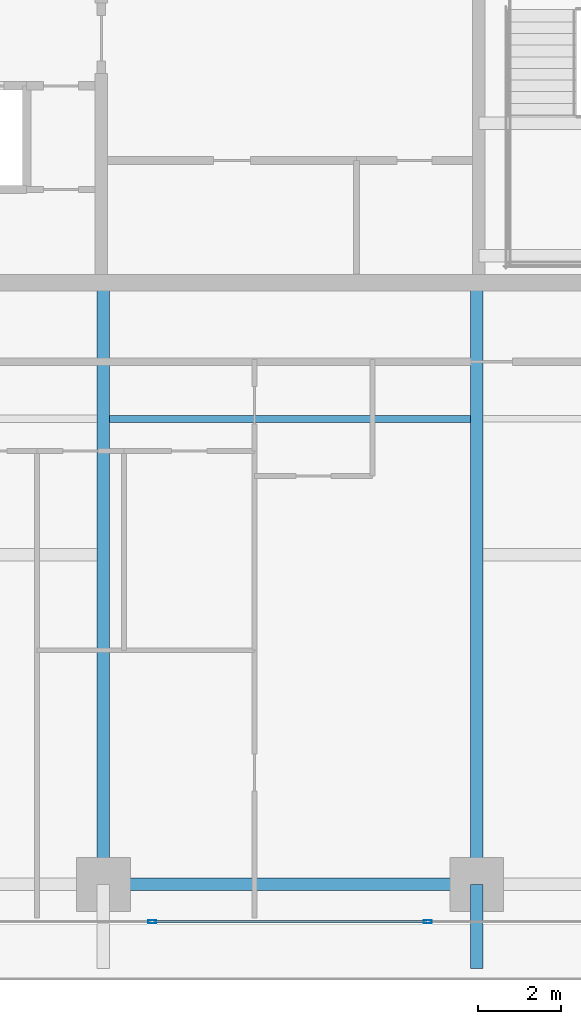
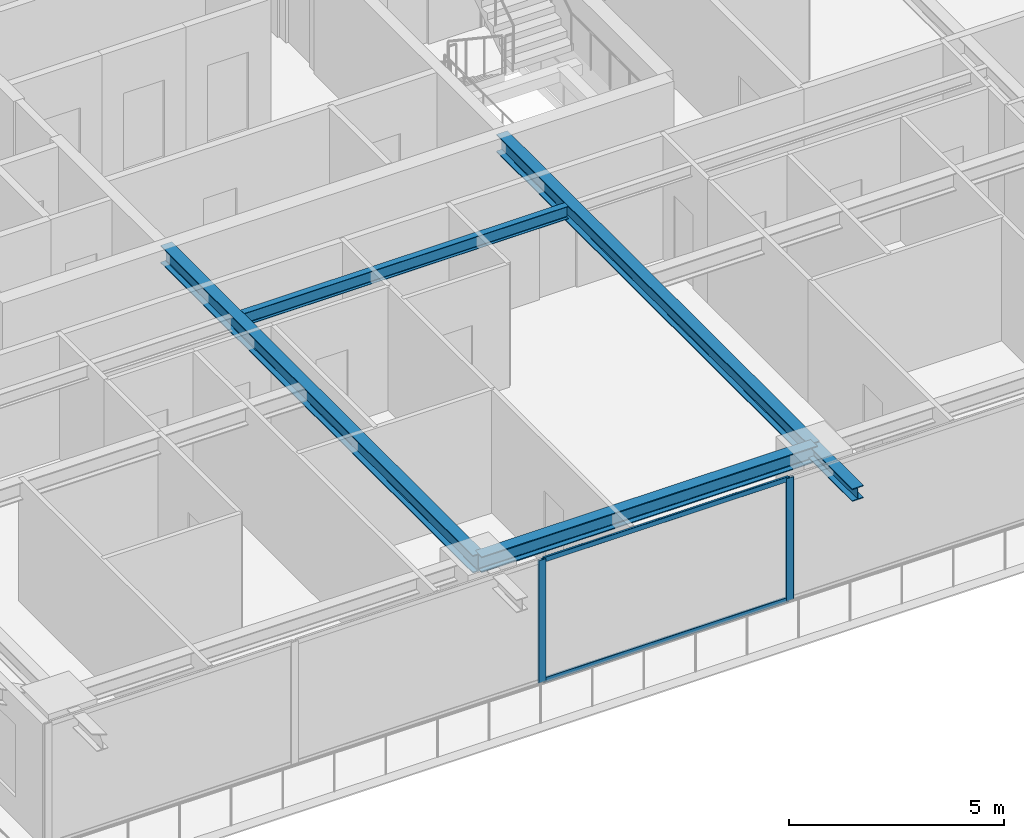
# One storey, part 5 of 34: 5 beams, 4 members, 1 element without a shape of its own.
"""IFC4 building model written with IfcOpenShell, lengths in metres."""

from ifc_helpers import new_model, si_unit, direction, frame, origin, origin_2d, place, context, subcontext, project, spatial, hollow_rectangle, i_section, extrude, source, transform, mapped, material, layer, layer_set, material_profile, profile_set, type_object, element, aggregate, save


model = new_model("IFC4")

# Units and contexts
model_context = context("Model", 3, precision=1e-05, world=origin(), true_north=direction((0.0, 1.0)))
body_context = subcontext(model_context, "Body", "Model", "MODEL_VIEW")
ifc_project = project(units=[si_unit("LENGTHUNIT", "METRE"), si_unit("AREAUNIT", "SQUARE_METRE"), si_unit("VOLUMEUNIT", "CUBIC_METRE"), si_unit("PLANEANGLEUNIT", "RADIAN"), si_unit("MASSUNIT", "GRAM", prefix="KILO")], contexts=[model_context])

# Site, building, storey
site_placement = place(None, origin())
site = spatial("IfcSite", under=ifc_project, at=site_placement, CompositionType="ELEMENT")
building_placement = place(site_placement, origin())
building = spatial("IfcBuilding", under=site, at=building_placement, Name="Serunith Strait Residences", CompositionType="ELEMENT")
storey_placement = place(building_placement, frame((0.0, 0.0, 135.14990234375)))
storey = spatial("IfcBuildingStorey", under=building, at=storey_placement, Name="L33", CompositionType="ELEMENT", Elevation=135.14990234375)

# Beams
ifc_material_1 = material(Name="Steel S355J2", Category="steel")
ifc_material_profile_1 = material_profile(ifc_material_1, i_section(OverallWidth=0.169921875, OverallDepth=0.360107421875, WebThickness=0.008056640625, FlangeThickness=0.0126953125, FilletRadius=0.01806640625, at=origin_2d()), Name="IPE 360")
ifc_profile_set_1 = profile_set([ifc_material_profile_1], Name="Steel S355J2")
beam_type_1 = type_object("IfcBeamType", Name="BM-IPE360", PredefinedType="JOIST", material=ifc_profile_set_1)
shared_shape_1 = source(origin(), body_context, "Body", "SweptSolid", [
    extrude(i_section(OverallWidth=0.169921875, OverallDepth=0.360107421875, WebThickness=0.008056640625, FlangeThickness=0.0126953125, FilletRadius=0.01806640625, at=origin_2d()), origin(), (0.0, 0.0, 1.0), 8.699951171875),
])
beam_1_placement = place(storey_placement, frame((28.050048828125, 13.52490234375, 3.30712890625), z_axis=(1.0, 0.0, 0.0), x_axis=(0.0, 1.0, 0.0)))
element("IfcBeam", 1, at=beam_1_placement, inside=storey, type_object=beam_type_1, Name="L33 Composite Floor Joist 02", PredefinedType="JOIST", context=body_context, shape_type="MappedRepresentation", body=[
    mapped(shared_shape_1, transform((0.0, 0.0, 0.0), scale=1.0)),
])
ifc_material_profile_2 = material_profile(ifc_material_1, i_section(OverallWidth=0.300048828125, OverallDepth=0.449951171875, WebThickness=0.013916015625, FlangeThickness=0.02587890625, FilletRadius=0.027099609375, at=origin_2d()), Name="HEB 450")
ifc_profile_set_2 = profile_set([ifc_material_profile_2], Name="Steel S355J2")
beam_type_2 = type_object("IfcBeamType", Name="BM-HEB450", PredefinedType="BEAM", material=ifc_profile_set_2)
shared_shape_2 = source(origin(), body_context, "Body", "SweptSolid", [
    extrude(i_section(OverallWidth=0.300048828125, OverallDepth=0.449951171875, WebThickness=0.013916015625, FlangeThickness=0.02587890625, FilletRadius=0.027099609375, at=origin_2d()), origin(), (0.0, 0.0, 1.0), 9.0),
])
beam_2_placement = place(storey_placement, frame((27.89990234375, 2.300048828125, 3.26220703125), z_axis=(1.0, 0.0, 0.0), x_axis=(0.0, 1.0, 0.0)))
element("IfcBeam", 2, at=beam_2_placement, inside=storey, type_object=beam_type_2, Name="L33 Perimeter Ring Beam 02", PredefinedType="BEAM", context=body_context, shape_type="MappedRepresentation", body=[
    mapped(shared_shape_2, transform((0.0, 0.0, 0.0), scale=1.0)),
])
ifc_material_profile_3 = material_profile(ifc_material_1, i_section(OverallWidth=0.300048828125, OverallDepth=0.5, WebThickness=0.014404296875, FlangeThickness=0.028076171875, FilletRadius=0.027099609375, at=origin_2d()), Name="HEB 500")
ifc_profile_set_3 = profile_set([ifc_material_profile_3], Name="Steel S355J2")
beam_type_3 = type_object("IfcBeamType", Name="BM-HEB500", PredefinedType="BEAM", material=ifc_profile_set_3)
shared_shape_3 = source(origin(), body_context, "Body", "SweptSolid", [
    extrude(i_section(OverallWidth=0.300048828125, OverallDepth=0.5, WebThickness=0.014404296875, FlangeThickness=0.028076171875, FilletRadius=0.027099609375, at=origin_2d()), origin(), (0.0, 0.0, 1.0), 14.5),
])
for number, where, z_axis, x_axis, name in (
    (3, (27.89990234375, 16.800048828125, 3.237060546875), (0.0, -1.0, 0.0), (1.0, 0.0, 0.0), "L33 Primary Floor Girder TC-S2"),
    (4, (36.89990234375, 16.800048828125, 3.237060546875), (0.0, -1.0, 0.0), (1.0, 0.0, 0.0), "L33 Primary Floor Girder TC-S3"),
):
    element("IfcBeam", number, at=place(storey_placement, frame(where, z_axis=z_axis, x_axis=x_axis)), inside=storey, type_object=beam_type_3, Name=name, PredefinedType="BEAM", context=body_context, shape_type="MappedRepresentation", body=[
        mapped(shared_shape_3, transform((0.0, 0.0, 0.0), scale=1.0)),
    ])
ifc_material_profile_4 = material_profile(ifc_material_1, i_section(OverallWidth=0.300048828125, OverallDepth=0.360107421875, WebThickness=0.012451171875, FlangeThickness=0.0224609375, FilletRadius=0.027099609375, at=origin_2d()), Name="HEB 360")
ifc_profile_set_4 = profile_set([ifc_material_profile_4], Name="Steel S355J2")
beam_type_4 = type_object("IfcBeamType", Name="BM-HEB360", PredefinedType="BEAM", material=ifc_profile_set_4)
shared_shape_4 = source(origin(), body_context, "Body", "SweptSolid", [
    extrude(i_section(OverallWidth=0.300048828125, OverallDepth=0.360107421875, WebThickness=0.012451171875, FlangeThickness=0.0224609375, FilletRadius=0.027099609375, at=origin_2d()), origin(), (0.0, 0.0, 1.0), 2.030029296875),
])
beam_3_placement = place(storey_placement, frame((36.89990234375, 2.300048828125, 3.277099609375), z_axis=(0.0, -1.0, 0.0), x_axis=(1.0, 0.0, 0.0)))
element("IfcBeam", 5, at=beam_3_placement, inside=storey, type_object=beam_type_4, Name="L34 Cantilevered Balcony Rib TC-S3", PredefinedType="BEAM", context=body_context, shape_type="MappedRepresentation", body=[
    mapped(shared_shape_4, transform((0.0, 0.0, 0.0), scale=1.0)),
])

# Curtain wall, members
ifc_material_2 = material(Name="Pale-Champagne Anodised Aluminium", Category="aluminium")
ifc_layer = layer(ifc_material_2, 0.199951171875, Name="Pale-Champagne Anodised Aluminium")
ifc_layer_set = layer_set([ifc_layer], Name="Pale-Champagne Anodised Aluminium")
curtain_wall_type = type_object("IfcCurtainWallType", Name="CW-SYS2", PredefinedType="NOTDEFINED", material=ifc_layer_set)
curtain_wall_placement = place(storey_placement, origin())
curtain_wall = element("IfcCurtainWall", 6, at=curtain_wall_placement, inside=storey, type_object=curtain_wall_type, Name="L33 S Unitised Fritted Curtain Wall", PredefinedType="NOTDEFINED")
ifc_material_profile_5 = material_profile(ifc_material_2, hollow_rectangle(XDim=0.070068359375, YDim=0.199951171875, WallThickness=0.00390625, InnerFilletRadius=0.006103515625, OuterFilletRadius=0.010009765625, at=origin_2d()), Name="ALU 200x70x4")
ifc_profile_set_5 = profile_set([ifc_material_profile_5], Name="Pale-Champagne Anodised Aluminium")
member_type_1 = type_object("IfcMemberType", Name="CW-SYS2-MULL", PredefinedType="MULLION", material=ifc_profile_set_5)
shared_shape_5 = source(origin(), body_context, "Body", "SweptSolid", [
    extrude(hollow_rectangle(XDim=0.070068359375, YDim=0.199951171875, WallThickness=0.00390625, InnerFilletRadius=0.006103515625, OuterFilletRadius=0.010009765625, at=origin_2d()), origin(), (0.0, 0.0, 1.0), 3.47509765625),
])
member_1_placement = place(storey_placement, frame((29.080078125, 1.39990234375, 0.0), z_axis=(0.0, 0.0, 1.0), x_axis=(0.0, 1.0, 0.0)))
member_1 = element("IfcMember", 7, at=member_1_placement, type_object=member_type_1, Name="CW-2 mullion 3", PredefinedType="MULLION", context=body_context, shape_type="MappedRepresentation", body=[
    mapped(shared_shape_5, transform((0.0, 0.0, 0.0), scale=1.0)),
])
member_2_placement = place(storey_placement, frame((35.719970703125, 1.39990234375, 0.0), z_axis=(0.0, 0.0, 1.0), x_axis=(0.0, 1.0, 0.0)))
member_2 = element("IfcMember", 8, at=member_2_placement, type_object=member_type_1, Name="CW-2 mullion 4", PredefinedType="MULLION", context=body_context, shape_type="MappedRepresentation", body=[
    mapped(shared_shape_5, transform((0.0, 0.0, 0.0), scale=1.0)),
])
ifc_material_profile_6 = material_profile(ifc_material_2, hollow_rectangle(XDim=0.06005859375, YDim=0.139892578125, WallThickness=0.00341796875, InnerFilletRadius=0.00537109375, OuterFilletRadius=0.0087890625, at=origin_2d()), Name="ALU 140x60x3.5")
ifc_profile_set_6 = profile_set([ifc_material_profile_6], Name="Pale-Champagne Anodised Aluminium")
member_type_2 = type_object("IfcMemberType", Name="CW-SYS2-TRAN", PredefinedType="USERDEFINED", material=ifc_profile_set_6)
shared_shape_6 = source(origin(), body_context, "Body", "SweptSolid", [
    extrude(hollow_rectangle(XDim=0.06005859375, YDim=0.139892578125, WallThickness=0.00341796875, InnerFilletRadius=0.00537109375, OuterFilletRadius=0.0087890625, at=origin_2d()), origin(), (0.0, 0.0, 1.0), 6.570068359375),
])
member_3_placement = place(storey_placement, frame((29.114990234375, 1.39990234375, 0.030029296875), z_axis=(1.0, 0.0, 0.0), x_axis=(0.0, 1.0, 0.0)))
member_3 = element("IfcMember", 9, at=member_3_placement, type_object=member_type_2, Name="CW-2 transom 3.1", ObjectType="TRANSOM", PredefinedType="USERDEFINED", context=body_context, shape_type="MappedRepresentation", body=[
    mapped(shared_shape_6, transform((0.0, 0.0, 0.0), scale=1.0)),
])
member_4_placement = place(storey_placement, frame((29.114990234375, 1.39990234375, 3.445068359375), z_axis=(1.0, 0.0, 0.0), x_axis=(0.0, 1.0, 0.0)))
member_4 = element("IfcMember", 10, at=member_4_placement, type_object=member_type_2, Name="CW-2 transom 3.2", ObjectType="TRANSOM", PredefinedType="USERDEFINED", context=body_context, shape_type="MappedRepresentation", body=[
    mapped(shared_shape_6, transform((0.0, 0.0, 0.0), scale=1.0)),
])
aggregate(curtain_wall, [member_1, member_2, member_3, member_4])

save(model, "model.ifc")
